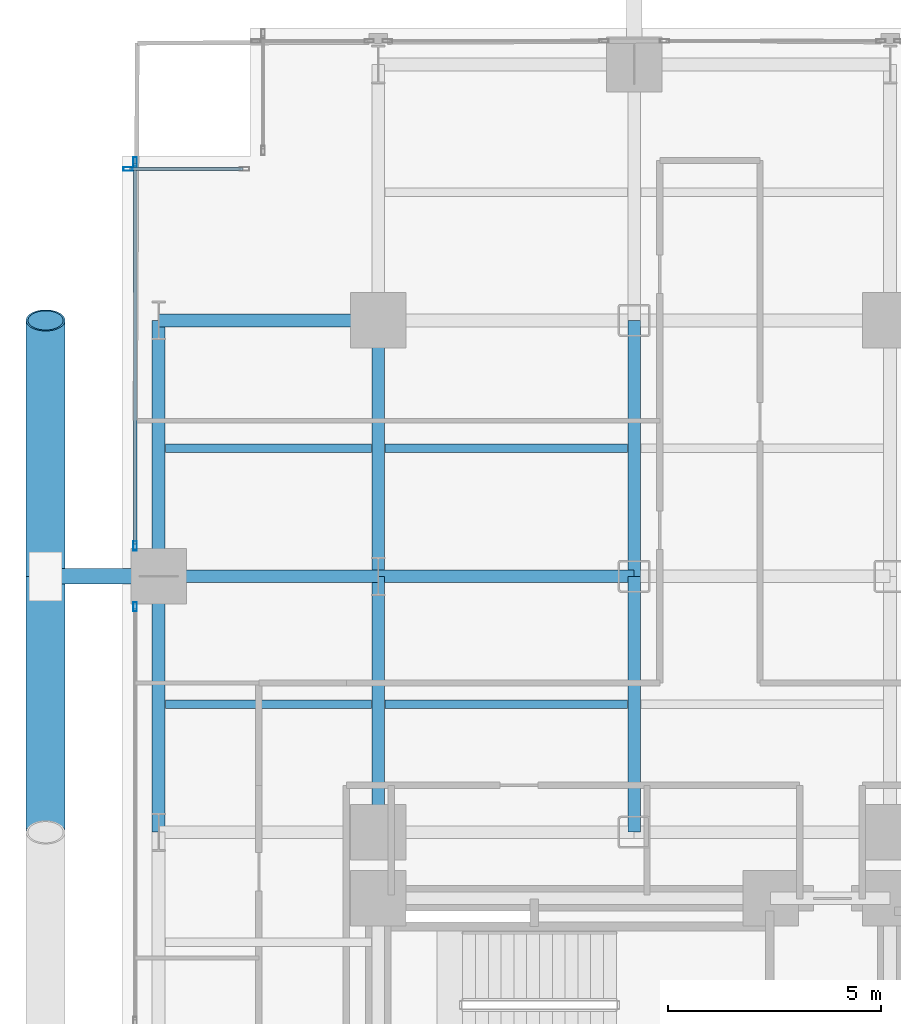
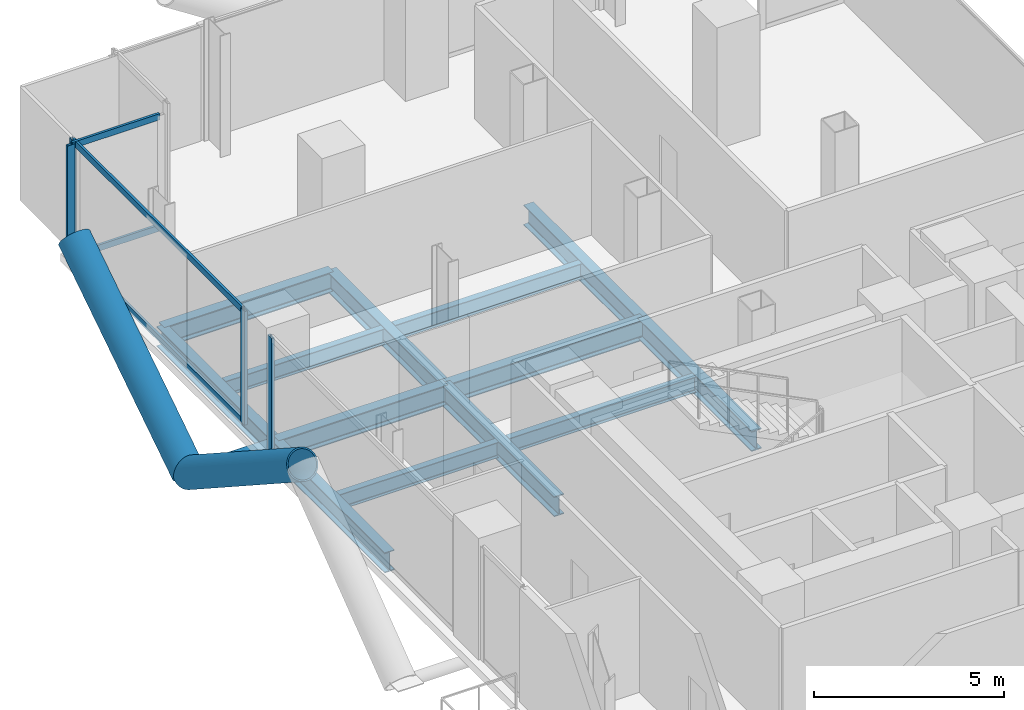
# One storey, part 13 of 25: 13 beams, 11 members, 3 elements without a shape of their own.
"""IFC4 building model written with IfcOpenShell, lengths in metres."""

from ifc_helpers import new_model, si_unit, direction, frame, origin, origin_2d, place, context, subcontext, project, spatial, hollow_rectangle, hollow_circle, i_section, extrude, material, layer, layer_set, material_profile, profile_set, type_object, element, aggregate, save


model = new_model("IFC4")

# Units and contexts
model_context = context("Model", 3, precision=1e-05, world=origin(), true_north=direction((0.0, 1.0)))
body_context = subcontext(model_context, "Body", "Model", "MODEL_VIEW")
ifc_project = project(units=[si_unit("LENGTHUNIT", "METRE"), si_unit("AREAUNIT", "SQUARE_METRE"), si_unit("VOLUMEUNIT", "CUBIC_METRE"), si_unit("PLANEANGLEUNIT", "RADIAN"), si_unit("MASSUNIT", "GRAM", prefix="KILO"), si_unit("THERMODYNAMICTEMPERATUREUNIT", "KELVIN"), si_unit("POWERUNIT", "WATT")], contexts=[model_context])

# Site, building, storey
site_placement = place(None, origin())
site = spatial("IfcSite", under=ifc_project, at=site_placement, CompositionType="ELEMENT")
building_placement = place(site_placement, origin())
building = spatial("IfcBuilding", under=site, at=building_placement, Name="Svarakhadi Broadcast Tower", CompositionType="ELEMENT")
storey_placement = place(building_placement, frame((0.0, 0.0, 36.300048828125)))
storey = spatial("IfcBuildingStorey", under=building, at=storey_placement, Name="L07", CompositionType="ELEMENT", Elevation=36.300048828125)

# Beams
ifc_material_1 = material(Name="Steel S355J2 (IS 2062 E350C)", Category="steel")
ifc_material_profile_1 = material_profile(ifc_material_1, i_section(OverallWidth=0.199951171875, OverallDepth=0.5, WebThickness=0.01025390625, FlangeThickness=0.01611328125, FilletRadius=0.02099609375, at=origin_2d()), Name="NPB 500x200x91")
ifc_profile_set_1 = profile_set([ifc_material_profile_1], Name="Steel S355J2 (IS 2062 E350C)")
beam_type_1 = type_object("IfcBeamType", Name="Beam_NPB500", PredefinedType="BEAM", material=ifc_profile_set_1)
for number, where, z_axis, x_axis, name in (
    (1, (1.010009765625, 32.14990234375, -0.5), (1.0, 0.0, 0.0), (0.0, 1.0, 0.0), "L07 Secondary Composite Beam SB005"),
    (2, (1.010009765625, 38.14990234375, -0.5), (1.0, 0.0, 0.0), (0.0, 1.0, 0.0), "L07 Secondary Composite Beam SB006"),
):
    element("IfcBeam", number, at=place(storey_placement, frame(where, z_axis=z_axis, x_axis=x_axis)), inside=storey, type_object=beam_type_1, Name=name, PredefinedType="BEAM", context=body_context, shape_type="SweptSolid", body=[
        extrude(i_section(OverallWidth=0.199951171875, OverallDepth=0.5, WebThickness=0.01025390625, FlangeThickness=0.01611328125, FilletRadius=0.02099609375, at=origin_2d()), origin(), (0.0, 0.0, 1.0), 4.830078125),
    ])
for number, where, z_axis, x_axis, name in (
    (3, (6.159912109375, 32.14990234375, -0.5), (1.0, 0.0, 0.0), (0.0, 1.0, 0.0), "L07 Secondary Composite Beam SB010"),
    (4, (6.159912109375, 38.14990234375, -0.5), (1.0, 0.0, 0.0), (0.0, 1.0, 0.0), "L07 Secondary Composite Beam SB011"),
):
    element("IfcBeam", number, at=place(storey_placement, frame(where, z_axis=z_axis, x_axis=x_axis)), inside=storey, type_object=beam_type_1, Name=name, PredefinedType="BEAM", context=body_context, shape_type="SweptSolid", body=[
        extrude(i_section(OverallWidth=0.199951171875, OverallDepth=0.5, WebThickness=0.01025390625, FlangeThickness=0.01611328125, FilletRadius=0.02099609375, at=origin_2d()), origin(), (0.0, 0.0, 1.0), 5.68017578125),
    ])

# Curtain wall, member
ifc_material_2 = material(Name="Anodised Bronze Aluminium AA 6063-T6", Category="aluminium")
ifc_layer = layer(ifc_material_2, 0.219970703125)
ifc_layer_set = layer_set([ifc_layer], Name="Anodised Bronze Aluminium AA 6063-T6")
curtain_wall_type = type_object("IfcCurtainWallType", Name="CW_Sys_02", PredefinedType="NOTDEFINED", material=ifc_layer_set)
curtain_wall_1_placement = place(storey_placement, origin())
curtain_wall_1 = element("IfcCurtainWall", 5, at=curtain_wall_1_placement, inside=storey, type_object=curtain_wall_type, Name="L07 West Curtain Wall 03 Bay 2", PredefinedType="NOTDEFINED")
ifc_material_profile_2 = material_profile(ifc_material_2, hollow_rectangle(XDim=0.0849609375, YDim=0.219970703125, WallThickness=0.006103515625, at=origin_2d()), Name="ALU MULLION 220x85x6")
ifc_profile_set_2 = profile_set([ifc_material_profile_2], Name="Anodised Bronze Aluminium AA 6063-T6")
member_type_1 = type_object("IfcMemberType", Name="CW_Sys_02_Mul", PredefinedType="MULLION", material=ifc_profile_set_2)
member_1_placement = place(storey_placement, frame((0.300048828125, 34.4375, 0.0), z_axis=(0.0, 0.0, 1.0), x_axis=(-1.0, 0.0, 0.0)))
member_1 = element("IfcMember", 6, at=member_1_placement, type_object=member_type_1, Name="CW-02 mullion 2", PredefinedType="MULLION", context=body_context, shape_type="SweptSolid", body=[
    extrude(hollow_rectangle(XDim=0.0849609375, YDim=0.219970703125, WallThickness=0.006103515625, at=origin_2d()), origin(), (0.0, 0.0, 1.0), 3.64990234375),
])
aggregate(curtain_wall_1, [member_1])

# Curtain wall, members
curtain_wall_2_placement = place(storey_placement, origin())
curtain_wall_2 = element("IfcCurtainWall", 7, at=curtain_wall_2_placement, inside=storey, type_object=curtain_wall_type, Name="L07 West Curtain Wall 03 Bay 3", PredefinedType="NOTDEFINED")
member_2_placement = place(storey_placement, frame((0.300048828125, 35.862548828125, 0.0), z_axis=(0.0, 0.0, 1.0), x_axis=(-1.0, 0.0, 0.0)))
member_2 = element("IfcMember", 8, at=member_2_placement, type_object=member_type_1, Name="CW-02 mullion 1", PredefinedType="MULLION", context=body_context, shape_type="SweptSolid", body=[
    extrude(hollow_rectangle(XDim=0.0849609375, YDim=0.219970703125, WallThickness=0.006103515625, at=origin_2d()), origin(), (0.0, 0.0, 1.0), 3.64990234375),
])
member_3_placement = place(storey_placement, frame((0.300048828125, 44.867431640625, 0.0), z_axis=(0.0, 0.0, 1.0), x_axis=(-1.0, 0.0, 0.0)))
member_3 = element("IfcMember", 9, at=member_3_placement, type_object=member_type_1, Name="CW-02 mullion 2", PredefinedType="MULLION", context=body_context, shape_type="SweptSolid", body=[
    extrude(hollow_rectangle(XDim=0.0849609375, YDim=0.219970703125, WallThickness=0.006103515625, at=origin_2d()), origin(), (0.0, 0.0, 1.0), 3.64990234375),
])

# Curtain wall, member
curtain_wall_3_placement = place(storey_placement, origin())
curtain_wall_3 = element("IfcCurtainWall", 10, at=curtain_wall_3_placement, inside=storey, type_object=curtain_wall_type, Name="L07 Unitised Facade Curtain Wall 04", PredefinedType="NOTDEFINED")
member_4_placement = place(storey_placement, frame((0.132568359375, 44.699951171875, 0.0), z_axis=(0.0, 0.0, 1.0), x_axis=(0.0, 1.0, 0.0)))
member_4 = element("IfcMember", 11, at=member_4_placement, type_object=member_type_1, Name="CW-02 mullion 1", PredefinedType="MULLION", context=body_context, shape_type="SweptSolid", body=[
    extrude(hollow_rectangle(XDim=0.0849609375, YDim=0.219970703125, WallThickness=0.006103515625, at=origin_2d()), origin(), (0.0, 0.0, 1.0), 3.64990234375),
])

# Member
ifc_material_profile_3 = material_profile(ifc_material_2, hollow_rectangle(XDim=0.074951171875, YDim=0.199951171875, WallThickness=0.0048828125, at=origin_2d()), Name="ALU TRANSOM 200x75x5")
ifc_profile_set_3 = profile_set([ifc_material_profile_3], Name="Anodised Bronze Aluminium AA 6063-T6")
member_type_2 = type_object("IfcMemberType", Name="CW_Sys_02_Trn", PredefinedType="USERDEFINED", material=ifc_profile_set_3)
member_5_placement = place(storey_placement, frame((0.300048828125, 35.905029296875, 0.037353515625), z_axis=(0.0, 1.0, 0.0), x_axis=(-1.0, 0.0, 0.0)))
member_5 = element("IfcMember", 12, at=member_5_placement, type_object=member_type_2, Name="CW-02 transom 1.1", ObjectType="TRANSOM", PredefinedType="USERDEFINED", context=body_context, shape_type="SweptSolid", body=[
    extrude(hollow_rectangle(XDim=0.074951171875, YDim=0.199951171875, WallThickness=0.0048828125, at=origin_2d()), origin(), (0.0, 0.0, 1.0), 8.919921875),
])

member_6_placement = place(storey_placement, frame((0.300048828125, 35.905029296875, 3.612548828125), z_axis=(0.0, 1.0, 0.0), x_axis=(-1.0, 0.0, 0.0)))
member_6 = element("IfcMember", 13, at=member_6_placement, type_object=member_type_2, Name="CW-02 transom 1.2", ObjectType="TRANSOM", PredefinedType="USERDEFINED", context=body_context, shape_type="SweptSolid", body=[
    extrude(hollow_rectangle(XDim=0.074951171875, YDim=0.199951171875, WallThickness=0.0048828125, at=origin_2d()), origin(), (0.0, 0.0, 1.0), 8.919921875),
])

aggregate(curtain_wall_2, [member_2, member_3, member_5, member_6])

member_7_placement = place(storey_placement, frame((0.175048828125, 44.699951171875, 0.037353515625), z_axis=(1.0, 0.0, 0.0), x_axis=(0.0, 1.0, 0.0)))
member_7 = element("IfcMember", 14, at=member_7_placement, type_object=member_type_2, Name="CW-02 transom 1.1", ObjectType="TRANSOM", PredefinedType="USERDEFINED", context=body_context, shape_type="SweptSolid", body=[
    extrude(hollow_rectangle(XDim=0.074951171875, YDim=0.199951171875, WallThickness=0.0048828125, at=origin_2d()), origin(), (0.0, 0.0, 1.0), 2.64990234375),
])

member_8_placement = place(storey_placement, frame((0.175048828125, 44.699951171875, 3.612548828125), z_axis=(1.0, 0.0, 0.0), x_axis=(0.0, 1.0, 0.0)))
member_8 = element("IfcMember", 15, at=member_8_placement, type_object=member_type_2, Name="CW-02 transom 1.2", ObjectType="TRANSOM", PredefinedType="USERDEFINED", context=body_context, shape_type="SweptSolid", body=[
    extrude(hollow_rectangle(XDim=0.074951171875, YDim=0.199951171875, WallThickness=0.0048828125, at=origin_2d()), origin(), (0.0, 0.0, 1.0), 2.64990234375),
])

aggregate(curtain_wall_3, [member_4, member_7, member_8])

# Members
ifc_material_3 = material(Name="Steel S460ML (IS 2062 E450BR)", Category="steel")
ifc_material_profile_4 = material_profile(ifc_material_3, hollow_circle(Radius=0.45703125, WallThickness=0.044921875, at=origin_2d()), Name="CHS 914x45")
ifc_profile_set_4 = profile_set([ifc_material_profile_4], Name="Steel S460ML (IS 2062 E450BR)")
member_type_3 = type_object("IfcMemberType", Name="Exo_Brace_CHS914", PredefinedType="BRACE", material=ifc_profile_set_4)
for number, where, z_axis, x_axis, name in (
    (16, (-1.800048828125, 35.14990234375, -0.427734375), (0.0, -0.838449851971, 0.544978757136), (1.0, 0.0, 0.0), "L07 Exposed Bronze Exoskeleton Diagonal W06"),
    (17, (-1.800048828125, 35.14990234375, -0.427734375), (0.0, 0.838449851971, 0.544978757136), (-1.0, 0.0, 0.0), "L07 Exposed Bronze Exoskeleton Diagonal W07"),
):
    element("IfcMember", number, at=place(storey_placement, frame(where, z_axis=z_axis, x_axis=x_axis)), inside=storey, type_object=member_type_3, Name=name, PredefinedType="BRACE", context=body_context, shape_type="SweptSolid", body=[
        extrude(hollow_circle(Radius=0.45703125, WallThickness=0.044921875, at=origin_2d()), origin(), (0.0, 0.0, 1.0), 7.156005859375),
    ])
ifc_material_profile_5 = material_profile(ifc_material_3, hollow_circle(Radius=0.177734375, WallThickness=0.02001953125, at=origin_2d()), Name="CHS 355.6x20")
ifc_profile_set_5 = profile_set([ifc_material_profile_5], Name="Steel S460ML (IS 2062 E450BR)")
member_type_4 = type_object("IfcMemberType", Name="Exo_Radial_Strut_Z1", PredefinedType="STRUT", material=ifc_profile_set_5)
member_9_placement = place(storey_placement, frame((-1.800048828125, 35.14990234375, -0.427734375), z_axis=(1.0, 0.0, 0.0), x_axis=(0.0, 1.0, 0.0)))
element("IfcMember", 18, at=member_9_placement, inside=storey, type_object=member_type_4, Name="L07 Exoskeleton Radial Tie Strut W05", PredefinedType="STRUT", context=body_context, shape_type="SweptSolid", body=[
    extrude(hollow_circle(Radius=0.177734375, WallThickness=0.02001953125, at=origin_2d()), origin(), (0.0, 0.0, 1.0), 2.650146484375),
])

# Beams
ifc_material_profile_6 = material_profile(ifc_material_1, i_section(OverallWidth=0.300048828125, OverallDepth=0.64990234375, WebThickness=0.01611328125, FlangeThickness=0.031005859375, FilletRadius=0.027099609375, at=origin_2d()), Name="WPB 650x300x225")
ifc_profile_set_6 = profile_set([ifc_material_profile_6], Name="Steel S355J2 (IS 2062 E350C)")
beam_type_2 = type_object("IfcBeamType", Name="Girder_WPB650", PredefinedType="USERDEFINED", material=ifc_profile_set_6)
beam_1_placement = place(storey_placement, frame((0.85009765625, 35.14990234375, -0.574951171875), z_axis=(1.0, 0.0, 0.0), x_axis=(0.0, 1.0, 0.0)))
element("IfcBeam", 19, at=beam_1_placement, inside=storey, type_object=beam_type_2, Name="L07 Primary E-W Girder G037", ObjectType="GIRDER", PredefinedType="USERDEFINED", context=body_context, shape_type="SweptSolid", body=[
    extrude(i_section(OverallWidth=0.300048828125, OverallDepth=0.64990234375, WebThickness=0.01611328125, FlangeThickness=0.031005859375, FilletRadius=0.027099609375, at=origin_2d()), origin(), (0.0, 0.0, 1.0), 5.14990234375),
])
beam_2_placement = place(storey_placement, frame((6.0, 35.14990234375, -0.574951171875), z_axis=(1.0, 0.0, 0.0), x_axis=(0.0, 1.0, 0.0)))
element("IfcBeam", 20, at=beam_2_placement, inside=storey, type_object=beam_type_2, Name="L07 Primary E-W Girder G038", ObjectType="GIRDER", PredefinedType="USERDEFINED", context=body_context, shape_type="SweptSolid", body=[
    extrude(i_section(OverallWidth=0.300048828125, OverallDepth=0.64990234375, WebThickness=0.01611328125, FlangeThickness=0.031005859375, FilletRadius=0.027099609375, at=origin_2d()), origin(), (0.0, 0.0, 1.0), 6.0),
])
beam_3_placement = place(storey_placement, frame((0.85009765625, 41.14990234375, -0.574951171875), z_axis=(1.0, 0.0, 0.0), x_axis=(0.0, 1.0, 0.0)))
element("IfcBeam", 21, at=beam_3_placement, inside=storey, type_object=beam_type_2, Name="L07 Primary E-W Girder G040", ObjectType="GIRDER", PredefinedType="USERDEFINED", context=body_context, shape_type="SweptSolid", body=[
    extrude(i_section(OverallWidth=0.300048828125, OverallDepth=0.64990234375, WebThickness=0.01611328125, FlangeThickness=0.031005859375, FilletRadius=0.027099609375, at=origin_2d()), origin(), (0.0, 0.0, 1.0), 5.14990234375),
])
for number, where, z_axis, x_axis, name in (
    (22, (0.85009765625, 29.14990234375, -0.574951171875), (0.0, 1.0, 0.0), (-1.0, 0.0, 0.0), "L07 Primary N-S Girder G049"),
    (23, (0.85009765625, 35.14990234375, -0.574951171875), (0.0, 1.0, 0.0), (-1.0, 0.0, 0.0), "L07 Primary N-S Girder G050"),
    (24, (6.0, 29.14990234375, -0.574951171875), (0.0, 1.0, 0.0), (-1.0, 0.0, 0.0), "L07 Primary N-S Girder G055"),
    (25, (6.0, 35.14990234375, -0.574951171875), (0.0, 1.0, 0.0), (-1.0, 0.0, 0.0), "L07 Primary N-S Girder G056"),
    (26, (12.0, 29.14990234375, -0.574951171875), (0.0, 1.0, 0.0), (-1.0, 0.0, 0.0), "L07 Primary N-S Girder G061"),
    (27, (12.0, 35.14990234375, -0.574951171875), (0.0, 1.0, 0.0), (-1.0, 0.0, 0.0), "L07 Primary N-S Girder G062"),
):
    element("IfcBeam", number, at=place(storey_placement, frame(where, z_axis=z_axis, x_axis=x_axis)), inside=storey, type_object=beam_type_2, Name=name, ObjectType="GIRDER", PredefinedType="USERDEFINED", context=body_context, shape_type="SweptSolid", body=[
        extrude(i_section(OverallWidth=0.300048828125, OverallDepth=0.64990234375, WebThickness=0.01611328125, FlangeThickness=0.031005859375, FilletRadius=0.027099609375, at=origin_2d()), origin(), (0.0, 0.0, 1.0), 6.0),
    ])

save(model, "model.ifc")
